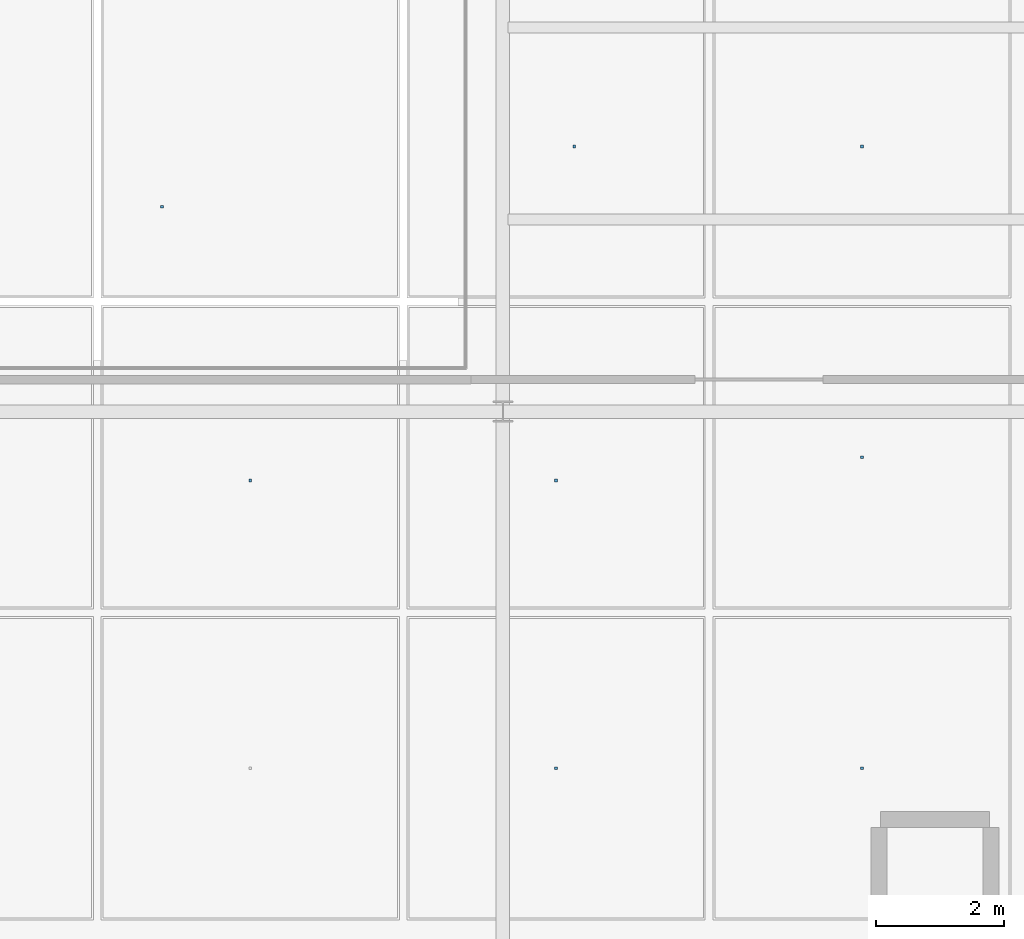
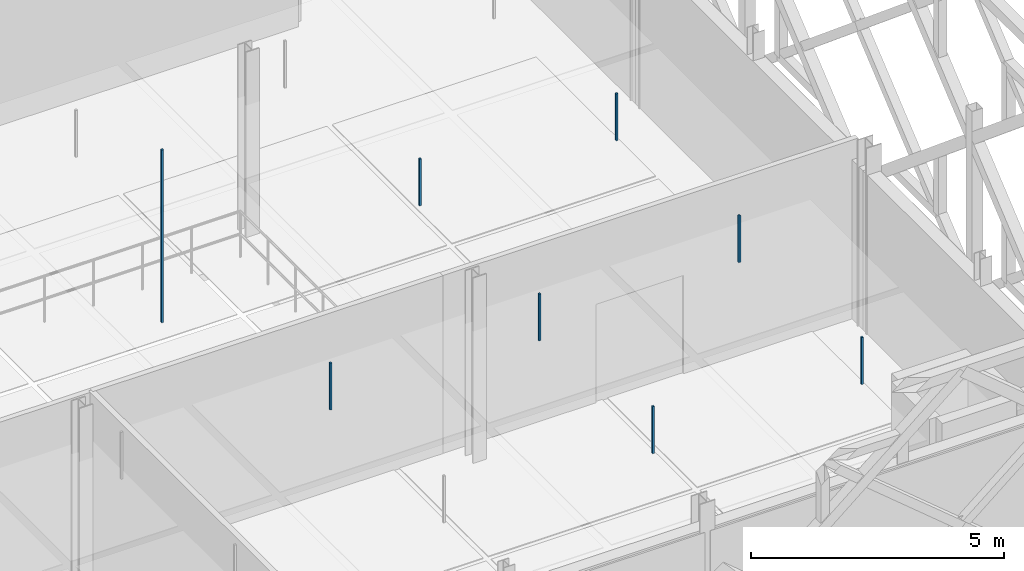
# One storey, part 52 of 66: 8 discrete accessories.
"""IFC4 building model written with IfcOpenShell, lengths in metres."""

import ifcopenshell
import ifcopenshell.guid

model = None  # the IFC model being written
_history = None  # IfcOwnerHistory: only IFC2X3 demands one
_inside = {}  # id of a spatial element -> (the spatial element, [elements in it])
_under = {}  # id of a project, library or spatial element -> (it, [spatial elements below it])
_declared = {}  # id of a project -> (the project, [libraries it declares])
_typed = {}  # id of a type object -> (the type object, [elements of that type])
_made_of = {}  # id of a material, layer set ... -> (it, [elements and type objects made of it])


def new_model(schema):
    """Start an empty IFC model of exactly this schema.

    Asked for "IFC4X3", IfcOpenShell would pick the latest addendum, in which some entities
    have other attributes; the version numbers below select the first issue.
    IFC2X3 requires an IfcOwnerHistory on every rooted entity: one is made here for all.
    """
    global model, _history
    if schema == "IFC4X3":
        model = ifcopenshell.file(schema_version=(4, 3, 0, 0))
    else:
        model = ifcopenshell.file(schema=schema)
    _inside.clear()
    _under.clear()
    _declared.clear()
    _typed.clear()
    _made_of.clear()
    _history = None
    if model.schema == "IFC2X3":
        org = make("IfcOrganization", Name="unknown")
        user = make(
            "IfcPersonAndOrganization",
            ThePerson=make("IfcPerson", FamilyName="unknown"),
            TheOrganization=org,
        )
        app = make(
            "IfcApplication",
            ApplicationDeveloper=org,
            Version="unknown",
            ApplicationFullName="unknown",
            ApplicationIdentifier="unknown",
        )
        _history = make(
            "IfcOwnerHistory",
            OwningUser=user,
            OwningApplication=app,
            ChangeAction="ADDED",
            CreationDate=0,
        )
    return model


def make(cls, **values):
    """One entity of the class cls with the attributes given. An attribute that is None is left unset."""
    return model.create_entity(
        cls, **{name: value for name, value in values.items() if value is not None}
    )


def rooted(cls, **values):
    """An entity with a GlobalId (a new one), such as an element, a storey or a relation."""
    return make(cls, GlobalId=ifcopenshell.guid.new(), OwnerHistory=_history, **values)


def si_unit(unit_type, name, prefix=None):
    """IfcSIUnit, for example si_unit("LENGTHUNIT", "METRE", prefix="MILLI")."""
    return make("IfcSIUnit", UnitType=unit_type, Prefix=prefix, Name=name)


def assignment(units):
    """IfcUnitAssignment: the units of a project."""
    return None if units is None else make("IfcUnitAssignment", Units=units)


def point(xyz):
    """IfcCartesianPoint."""
    return None if xyz is None else make("IfcCartesianPoint", Coordinates=xyz)


def direction(xyz):
    """IfcDirection."""
    return None if xyz is None else make("IfcDirection", DirectionRatios=xyz)


def frame(location, z_axis=None, x_axis=None):
    """IfcAxis2Placement3D, a coordinate frame: its origin and axes. An axis left out is left unset."""
    return make(
        "IfcAxis2Placement3D",
        Location=point(location),
        Axis=direction(z_axis),
        RefDirection=direction(x_axis),
    )


def frame_2d(location, x_axis=None):
    """IfcAxis2Placement2D, a coordinate frame in the plane: its origin and x axis."""
    return make(
        "IfcAxis2Placement2D", Location=point(location), RefDirection=direction(x_axis)
    )


def origin():
    """The frame at (0, 0, 0) with its axes left unset."""
    return frame((0.0, 0.0, 0.0))


def origin_2d():
    """The frame at (0, 0) in the plane with its x axis left unset."""
    return frame_2d((0.0, 0.0))


def place(relative_to, where):
    """IfcLocalPlacement: puts the frame where relative to a parent placement (None: the world)."""
    return make(
        "IfcLocalPlacement", PlacementRelTo=relative_to, RelativePlacement=where
    )


def context(
    kind, dimensions, precision=None, world=None, true_north=None, identifier=None
):
    """IfcGeometricRepresentationContext, for example the 3D "Model" context."""
    return make(
        "IfcGeometricRepresentationContext",
        ContextIdentifier=identifier,
        ContextType=kind,
        CoordinateSpaceDimension=dimensions,
        Precision=precision,
        WorldCoordinateSystem=world,
        TrueNorth=true_north,
    )


def subcontext(parent, identifier, kind, view, scale=None):
    """IfcGeometricRepresentationSubContext, for example "Body" below "Model"."""
    return make(
        "IfcGeometricRepresentationSubContext",
        ContextIdentifier=identifier,
        ContextType=kind,
        ParentContext=parent,
        TargetScale=scale,
        TargetView=view,
    )


def project(units=None, contexts=None):
    """IfcProject with its units and contexts."""
    return rooted(
        "IfcProject",
        Name="project",
        RepresentationContexts=contexts,
        UnitsInContext=assignment(units),
    )


def spatial(cls, under=None, at=None, **own):
    """A site, building, storey or space (cls), placed at a placement, below another one or the project."""
    s = rooted(cls, ObjectPlacement=at, **own)
    if under is not None:
        _under.setdefault(under.id(), (under, []))[1].append(s)
    return s


def profile(cls, at=None, kind="AREA", **sizes):
    """A parametric profile (cls). Its sizes go by their IFC names, for example OverallWidth=200.0."""
    return make(cls, ProfileType=kind, Position=at, **sizes)


def rectangle(**sizes):
    """IfcRectangleProfileDef."""
    return profile("IfcRectangleProfileDef", **sizes)


def extrude(swept, where, along, depth):
    """IfcExtrudedAreaSolid: the profile swept, set in the frame where, extruded along a direction by depth."""
    return make(
        "IfcExtrudedAreaSolid",
        SweptArea=swept,
        Position=where,
        ExtrudedDirection=direction(along),
        Depth=depth,
    )


def shape(context_of_items, identifier, shape_type, items):
    """IfcShapeRepresentation: the items that make up one representation, for example the "Body"."""
    return make(
        "IfcShapeRepresentation",
        ContextOfItems=context_of_items,
        RepresentationIdentifier=identifier,
        RepresentationType=shape_type,
        Items=items,
    )


def material(Name=None, Category=None):
    """IfcMaterial."""
    return make("IfcMaterial", Name=Name, Category=Category)


def made_of(thing, what):
    """Note that an element or type object is made of a material, layer set ...; save() writes the relation."""
    if what is not None:
        _made_of.setdefault(what.id(), (what, []))[1].append(thing)
    return thing


def type_object(cls, material=None, **own):
    """A type object (cls), such as IfcWallType, which elements share."""
    return made_of(rooted(cls, **own), material)


def element(
    cls,
    number,
    at=None,
    inside=None,
    cuts=None,
    type_object=None,
    material=None,
    context=None,
    identifier="Body",
    shape_type=None,
    held_by="IfcProductDefinitionShape",
    body=None,
    shapes=None,
    **own,
):
    """One element of the class cls, such as IfcWall. Its Tag is "e" and its number.

    at: its placement. inside: the storey or other place that contains it. cuts: it is an
    opening in that element (IfcRelVoidsElement). A single representation is given by context,
    identifier, shape_type and body (its items); several are given by shapes. held_by: the class
    of the entity that holds the representations. save() writes the other relations.
    """
    e = rooted(cls, Tag="e%d" % number, ObjectPlacement=at, **own)
    if body is not None:
        shapes = [shape(context, identifier, shape_type, body)]
    if shapes is not None:
        e.Representation = make(held_by, Representations=shapes)
    if inside is not None:
        _inside.setdefault(inside.id(), (inside, []))[1].append(e)
    if cuts is not None:
        rooted(
            "IfcRelVoidsElement", RelatingBuildingElement=cuts, RelatedOpeningElement=e
        )
    if type_object is not None:
        _typed.setdefault(type_object.id(), (type_object, []))[1].append(e)
    return made_of(e, material)


def aggregate(whole, parts):
    """IfcRelAggregates: a whole, such as a stair, and the parts it consists of."""
    return rooted("IfcRelAggregates", RelatingObject=whole, RelatedObjects=parts)


def save(model, path):
    """Write the relations noted so far, then the file.

    IfcRelAggregates (storeys below a building ...), IfcRelContainedInSpatialStructure (elements
    in a storey), IfcRelDefinesByType, IfcRelAssociatesMaterial and IfcRelDeclares: one each for
    every whole, place, type object, material and project.
    """
    for whole, parts in _under.values():
        aggregate(whole, parts)
    for where, things in _inside.values():
        rooted(
            "IfcRelContainedInSpatialStructure",
            RelatedElements=things,
            RelatingStructure=where,
        )
    for kind, things in _typed.values():
        rooted("IfcRelDefinesByType", RelatedObjects=things, RelatingType=kind)
    for what, things in _made_of.values():
        rooted("IfcRelAssociatesMaterial", RelatedObjects=things, RelatingMaterial=what)
    for by, libraries in _declared.values():
        rooted("IfcRelDeclares", RelatingContext=by, RelatedDefinitions=libraries)
    model.write(path)


model = new_model("IFC4")

# Units and contexts
model_context = context("Model", 3, precision=1e-05, world=origin(), true_north=direction((0.0, 1.0)))
body_context = subcontext(model_context, "Body", "Model", "MODEL_VIEW")
ifc_project = project(units=[si_unit("LENGTHUNIT", "METRE"), si_unit("AREAUNIT", "SQUARE_METRE"), si_unit("VOLUMEUNIT", "CUBIC_METRE"), si_unit("PLANEANGLEUNIT", "RADIAN"), si_unit("MASSUNIT", "GRAM", prefix="KILO"), si_unit("THERMODYNAMICTEMPERATUREUNIT", "KELVIN"), si_unit("POWERUNIT", "WATT")], contexts=[model_context])

# Site, building, storey
site_placement = place(None, origin())
site = spatial("IfcSite", under=ifc_project, at=site_placement, CompositionType="ELEMENT")
building_placement = place(site_placement, origin())
building = spatial("IfcBuilding", under=site, at=building_placement, Name="Tallowbark Science Centre", CompositionType="ELEMENT")
storey_placement = place(building_placement, frame((0.0, 0.0, 18.89990234375)))
storey = spatial("IfcBuildingStorey", under=building, at=storey_placement, Name="L04", CompositionType="ELEMENT", Elevation=18.89990234375)

# Discrete accessories
ifc_material = material(Name="Galvanised Steel Grade C350L0 (350 MPa)", Category="steel")
discrete_accessory_type = type_object("IfcDiscreteAccessoryType", Name="ACC-CLG-HNG", PredefinedType="BRACKET", material=ifc_material)
discrete_accessory_1_placement = place(storey_placement, frame((90.5556640625, 12.423583984375, 3.20947265625), z_axis=(0.0, 0.0, 1.0), x_axis=(1.0, 0.0, 0.0)))
element("IfcDiscreteAccessory", 1, at=discrete_accessory_1_placement, inside=storey, type_object=discrete_accessory_type, Name="Ceiling Hanger Bracket L04-1105", PredefinedType="BRACKET", context=body_context, shape_type="SweptSolid", body=[
    extrude(rectangle(XDim=0.044921875, YDim=0.044921875, at=origin_2d()), origin(), (0.0, 0.0, 1.0), 1.133544921875),
])
discrete_accessory_2_placement = place(storey_placement, frame((89.17626953125, 16.7001953125, 3.20947265625), z_axis=(0.0, 0.0, 1.0), x_axis=(1.0, 0.0, 0.0)))
element("IfcDiscreteAccessory", 2, at=discrete_accessory_2_placement, inside=storey, type_object=discrete_accessory_type, Name="Ceiling Hanger Bracket L04-1106", PredefinedType="BRACKET", context=body_context, shape_type="SweptSolid", body=[
    extrude(rectangle(XDim=0.044921875, YDim=0.044921875, at=origin_2d()), origin(), (0.0, 0.0, 1.0), 4.177490234375),
])
for number, where, z_axis, x_axis, name in (
    (3, (95.333251953125, 7.9287109375, 3.20947265625), (0.0, 0.0, 1.0), (1.0, 0.0, 0.0), "Ceiling Hanger Bracket L04-1108"),
    (4, (95.333251953125, 12.423583984375, 3.20947265625), (0.0, 0.0, 1.0), (1.0, 0.0, 0.0), "Ceiling Hanger Bracket L04-1109"),
    (5, (95.6162109375, 17.642822265625, 3.20947265625), (0.0, 0.0, 1.0), (1.0, 0.0, 0.0), "Ceiling Hanger Bracket L04-1110"),
    (6, (100.111083984375, 7.9287109375, 3.20947265625), (0.0, 0.0, 1.0), (1.0, 0.0, 0.0), "Ceiling Hanger Bracket L04-1112"),
    (7, (100.111083984375, 12.78564453125, 3.20947265625), (0.0, 0.0, 1.0), (1.0, 0.0, 0.0), "Ceiling Hanger Bracket L04-1113"),
    (8, (100.111083984375, 17.642822265625, 3.20947265625), (0.0, 0.0, 1.0), (1.0, 0.0, 0.0), "Ceiling Hanger Bracket L04-1114"),
):
    element("IfcDiscreteAccessory", number, at=place(storey_placement, frame(where, z_axis=z_axis, x_axis=x_axis)), inside=storey, type_object=discrete_accessory_type, Name=name, PredefinedType="BRACKET", context=body_context, shape_type="SweptSolid", body=[
        extrude(rectangle(XDim=0.044921875, YDim=0.044921875, at=origin_2d()), origin(), (0.0, 0.0, 1.0), 1.133544921875),
    ])

save(model, "model.ifc")
